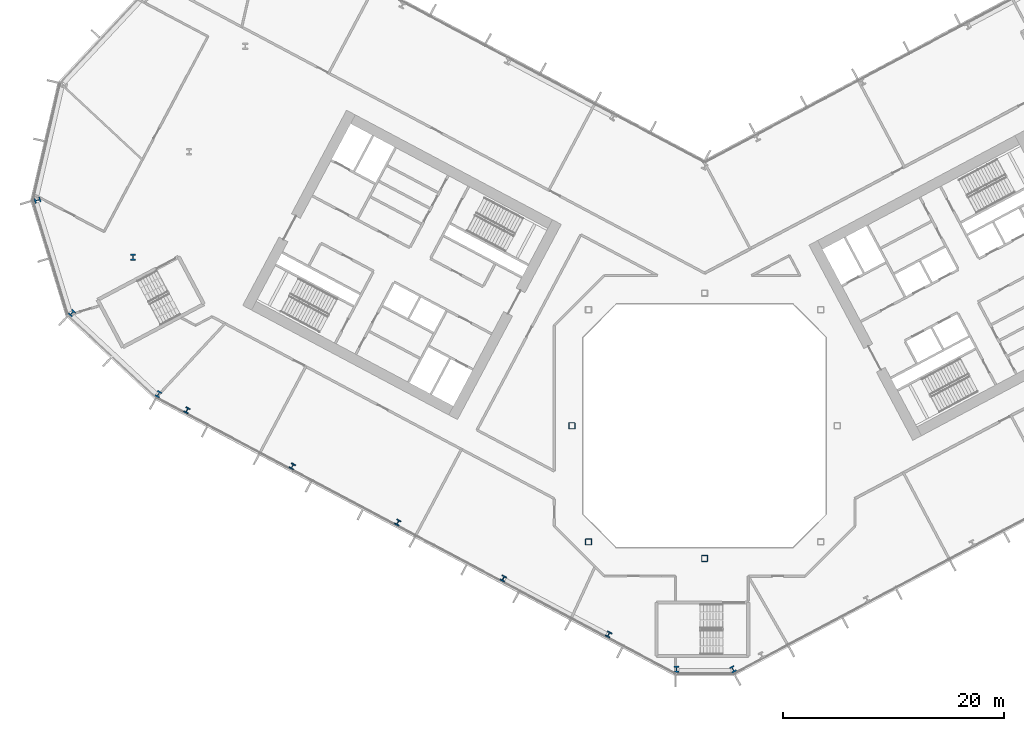
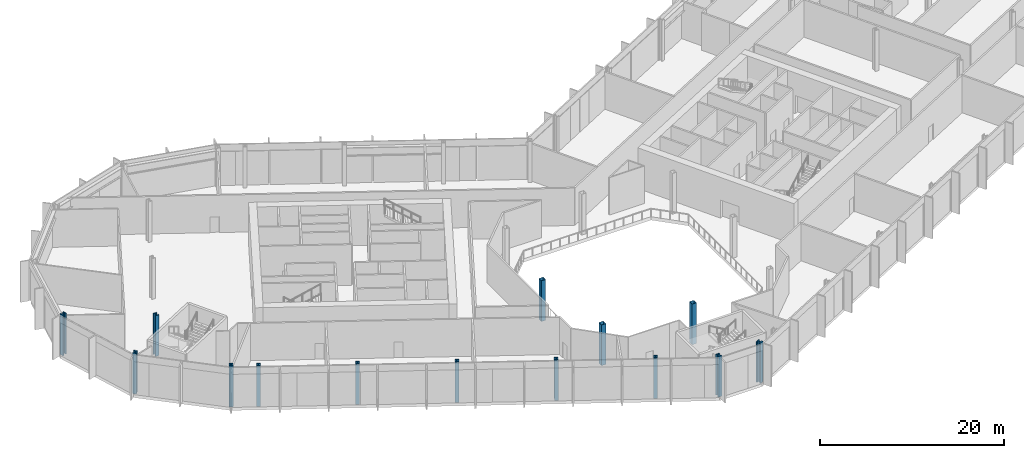
# One storey, part 1 of 32: 14 columns.
"""IFC4 building model written with IfcOpenShell, lengths in metres."""

import ifcopenshell
import ifcopenshell.guid

model = None  # the IFC model being written
_history = None  # IfcOwnerHistory: only IFC2X3 demands one
_inside = {}  # id of a spatial element -> (the spatial element, [elements in it])
_under = {}  # id of a project, library or spatial element -> (it, [spatial elements below it])
_declared = {}  # id of a project -> (the project, [libraries it declares])
_typed = {}  # id of a type object -> (the type object, [elements of that type])
_made_of = {}  # id of a material, layer set ... -> (it, [elements and type objects made of it])


def new_model(schema):
    """Start an empty IFC model of exactly this schema.

    Asked for "IFC4X3", IfcOpenShell would pick the latest addendum, in which some entities
    have other attributes; the version numbers below select the first issue.
    IFC2X3 requires an IfcOwnerHistory on every rooted entity: one is made here for all.
    """
    global model, _history
    if schema == "IFC4X3":
        model = ifcopenshell.file(schema_version=(4, 3, 0, 0))
    else:
        model = ifcopenshell.file(schema=schema)
    _inside.clear()
    _under.clear()
    _declared.clear()
    _typed.clear()
    _made_of.clear()
    _history = None
    if model.schema == "IFC2X3":
        org = make("IfcOrganization", Name="unknown")
        user = make(
            "IfcPersonAndOrganization",
            ThePerson=make("IfcPerson", FamilyName="unknown"),
            TheOrganization=org,
        )
        app = make(
            "IfcApplication",
            ApplicationDeveloper=org,
            Version="unknown",
            ApplicationFullName="unknown",
            ApplicationIdentifier="unknown",
        )
        _history = make(
            "IfcOwnerHistory",
            OwningUser=user,
            OwningApplication=app,
            ChangeAction="ADDED",
            CreationDate=0,
        )
    return model


def make(cls, **values):
    """One entity of the class cls with the attributes given. An attribute that is None is left unset."""
    return model.create_entity(
        cls, **{name: value for name, value in values.items() if value is not None}
    )


def rooted(cls, **values):
    """An entity with a GlobalId (a new one), such as an element, a storey or a relation."""
    return make(cls, GlobalId=ifcopenshell.guid.new(), OwnerHistory=_history, **values)


def si_unit(unit_type, name, prefix=None):
    """IfcSIUnit, for example si_unit("LENGTHUNIT", "METRE", prefix="MILLI")."""
    return make("IfcSIUnit", UnitType=unit_type, Prefix=prefix, Name=name)


def assignment(units):
    """IfcUnitAssignment: the units of a project."""
    return None if units is None else make("IfcUnitAssignment", Units=units)


def point(xyz):
    """IfcCartesianPoint."""
    return None if xyz is None else make("IfcCartesianPoint", Coordinates=xyz)


def direction(xyz):
    """IfcDirection."""
    return None if xyz is None else make("IfcDirection", DirectionRatios=xyz)


def frame(location, z_axis=None, x_axis=None):
    """IfcAxis2Placement3D, a coordinate frame: its origin and axes. An axis left out is left unset."""
    return make(
        "IfcAxis2Placement3D",
        Location=point(location),
        Axis=direction(z_axis),
        RefDirection=direction(x_axis),
    )


def frame_2d(location, x_axis=None):
    """IfcAxis2Placement2D, a coordinate frame in the plane: its origin and x axis."""
    return make(
        "IfcAxis2Placement2D", Location=point(location), RefDirection=direction(x_axis)
    )


def origin():
    """The frame at (0, 0, 0) with its axes left unset."""
    return frame((0.0, 0.0, 0.0))


def origin_2d():
    """The frame at (0, 0) in the plane with its x axis left unset."""
    return frame_2d((0.0, 0.0))


def place(relative_to, where):
    """IfcLocalPlacement: puts the frame where relative to a parent placement (None: the world)."""
    return make(
        "IfcLocalPlacement", PlacementRelTo=relative_to, RelativePlacement=where
    )


def context(
    kind, dimensions, precision=None, world=None, true_north=None, identifier=None
):
    """IfcGeometricRepresentationContext, for example the 3D "Model" context."""
    return make(
        "IfcGeometricRepresentationContext",
        ContextIdentifier=identifier,
        ContextType=kind,
        CoordinateSpaceDimension=dimensions,
        Precision=precision,
        WorldCoordinateSystem=world,
        TrueNorth=true_north,
    )


def subcontext(parent, identifier, kind, view, scale=None):
    """IfcGeometricRepresentationSubContext, for example "Body" below "Model"."""
    return make(
        "IfcGeometricRepresentationSubContext",
        ContextIdentifier=identifier,
        ContextType=kind,
        ParentContext=parent,
        TargetScale=scale,
        TargetView=view,
    )


def project(units=None, contexts=None):
    """IfcProject with its units and contexts."""
    return rooted(
        "IfcProject",
        Name="project",
        RepresentationContexts=contexts,
        UnitsInContext=assignment(units),
    )


def spatial(cls, under=None, at=None, **own):
    """A site, building, storey or space (cls), placed at a placement, below another one or the project."""
    s = rooted(cls, ObjectPlacement=at, **own)
    if under is not None:
        _under.setdefault(under.id(), (under, []))[1].append(s)
    return s


def profile(cls, at=None, kind="AREA", **sizes):
    """A parametric profile (cls). Its sizes go by their IFC names, for example OverallWidth=200.0."""
    return make(cls, ProfileType=kind, Position=at, **sizes)


def hollow_rectangle(**sizes):
    """IfcRectangleHollowProfileDef."""
    return profile("IfcRectangleHollowProfileDef", **sizes)


def i_section(**sizes):
    """IfcIShapeProfileDef."""
    return profile("IfcIShapeProfileDef", **sizes)


def extrude(swept, where, along, depth):
    """IfcExtrudedAreaSolid: the profile swept, set in the frame where, extruded along a direction by depth."""
    return make(
        "IfcExtrudedAreaSolid",
        SweptArea=swept,
        Position=where,
        ExtrudedDirection=direction(along),
        Depth=depth,
    )


def shape(context_of_items, identifier, shape_type, items):
    """IfcShapeRepresentation: the items that make up one representation, for example the "Body"."""
    return make(
        "IfcShapeRepresentation",
        ContextOfItems=context_of_items,
        RepresentationIdentifier=identifier,
        RepresentationType=shape_type,
        Items=items,
    )


def material(Name=None, Category=None):
    """IfcMaterial."""
    return make("IfcMaterial", Name=Name, Category=Category)


def material_profile(
    of_material, cross_section, Name=None, Category=None, Priority=None
):
    """IfcMaterialProfile: a cross section and its material."""
    return make(
        "IfcMaterialProfile",
        Name=Name,
        Material=of_material,
        Profile=cross_section,
        Priority=Priority,
        Category=Category,
    )


def profile_set(profiles, Name=None, composite=None):
    """IfcMaterialProfileSet."""
    return make(
        "IfcMaterialProfileSet",
        Name=Name,
        MaterialProfiles=profiles,
        CompositeProfile=composite,
    )


def made_of(thing, what):
    """Note that an element or type object is made of a material, layer set ...; save() writes the relation."""
    if what is not None:
        _made_of.setdefault(what.id(), (what, []))[1].append(thing)
    return thing


def type_object(cls, material=None, **own):
    """A type object (cls), such as IfcWallType, which elements share."""
    return made_of(rooted(cls, **own), material)


def element(
    cls,
    number,
    at=None,
    inside=None,
    cuts=None,
    type_object=None,
    material=None,
    context=None,
    identifier="Body",
    shape_type=None,
    held_by="IfcProductDefinitionShape",
    body=None,
    shapes=None,
    **own,
):
    """One element of the class cls, such as IfcWall. Its Tag is "e" and its number.

    at: its placement. inside: the storey or other place that contains it. cuts: it is an
    opening in that element (IfcRelVoidsElement). A single representation is given by context,
    identifier, shape_type and body (its items); several are given by shapes. held_by: the class
    of the entity that holds the representations. save() writes the other relations.
    """
    e = rooted(cls, Tag="e%d" % number, ObjectPlacement=at, **own)
    if body is not None:
        shapes = [shape(context, identifier, shape_type, body)]
    if shapes is not None:
        e.Representation = make(held_by, Representations=shapes)
    if inside is not None:
        _inside.setdefault(inside.id(), (inside, []))[1].append(e)
    if cuts is not None:
        rooted(
            "IfcRelVoidsElement", RelatingBuildingElement=cuts, RelatedOpeningElement=e
        )
    if type_object is not None:
        _typed.setdefault(type_object.id(), (type_object, []))[1].append(e)
    return made_of(e, material)


def aggregate(whole, parts):
    """IfcRelAggregates: a whole, such as a stair, and the parts it consists of."""
    return rooted("IfcRelAggregates", RelatingObject=whole, RelatedObjects=parts)


def save(model, path):
    """Write the relations noted so far, then the file.

    IfcRelAggregates (storeys below a building ...), IfcRelContainedInSpatialStructure (elements
    in a storey), IfcRelDefinesByType, IfcRelAssociatesMaterial and IfcRelDeclares: one each for
    every whole, place, type object, material and project.
    """
    for whole, parts in _under.values():
        aggregate(whole, parts)
    for where, things in _inside.values():
        rooted(
            "IfcRelContainedInSpatialStructure",
            RelatedElements=things,
            RelatingStructure=where,
        )
    for kind, things in _typed.values():
        rooted("IfcRelDefinesByType", RelatedObjects=things, RelatingType=kind)
    for what, things in _made_of.values():
        rooted("IfcRelAssociatesMaterial", RelatedObjects=things, RelatingMaterial=what)
    for by, libraries in _declared.values():
        rooted("IfcRelDeclares", RelatingContext=by, RelatedDefinitions=libraries)
    model.write(path)


model = new_model("IFC4")

# Units and contexts
model_context = context("Model", 3, precision=1e-05, world=origin(), true_north=direction((0.0, 1.0)))
body_context = subcontext(model_context, "Body", "Model", "MODEL_VIEW")
ifc_project = project(units=[si_unit("LENGTHUNIT", "METRE"), si_unit("AREAUNIT", "SQUARE_METRE"), si_unit("VOLUMEUNIT", "CUBIC_METRE"), si_unit("PLANEANGLEUNIT", "RADIAN"), si_unit("MASSUNIT", "GRAM", prefix="KILO")], contexts=[model_context])

# Site, building, storey
site_placement = place(None, origin())
site = spatial("IfcSite", under=ifc_project, at=site_placement, CompositionType="ELEMENT")
building_placement = place(site_placement, origin())
building = spatial("IfcBuilding", under=site, at=building_placement, Name="Cormorant Relay Tower", CompositionType="ELEMENT")
storey_placement = place(building_placement, frame((0.0, 0.0, 28.39990234375)))
storey = spatial("IfcBuildingStorey", under=building, at=storey_placement, Name="L05", CompositionType="ELEMENT", Elevation=28.39990234375)

# Columns
ifc_material_1 = material(Name="Steel ASTM A1085 Grade A (Fy 345 MPa)", Category="steel")
ifc_material_profile_1 = material_profile(ifc_material_1, hollow_rectangle(XDim=0.558837890625, YDim=0.558837890625, WallThickness=0.023681640625, InnerFilletRadius=0.01171875, OuterFilletRadius=0.035400390625, at=origin_2d()), Name="HSS559x559x24")
ifc_profile_set_1 = profile_set([ifc_material_profile_1], Name="Steel ASTM A1085 Grade A (Fy 345 MPa)")
column_type_1 = type_object("IfcColumnType", Name="Column HSS559x559x24", PredefinedType="COLUMN", material=ifc_profile_set_1)
for number, where, z_axis, x_axis, name in (
    (1, (0.0, -12.0, 0.0), (0.0, 0.0, 1.0), (1.0, 0.0, 0.0), "Column L05-007"),
    (2, (-10.5, -10.5, 0.0), (0.0, 0.0, 1.0), (1.0, 0.0, 0.0), "Column L05-009"),
    (3, (-12.0, 0.0, 0.0), (0.0, 0.0, 1.0), (1.0, 0.0, 0.0), "Column L05-015"),
):
    element("IfcColumn", number, at=place(storey_placement, frame(where, z_axis=z_axis, x_axis=x_axis)), inside=storey, type_object=column_type_1, Name=name, PredefinedType="COLUMN", context=body_context, shape_type="SweptSolid", body=[
        extrude(hollow_rectangle(XDim=0.558837890625, YDim=0.558837890625, WallThickness=0.023681640625, InnerFilletRadius=0.01171875, OuterFilletRadius=0.035400390625, at=origin_2d()), origin(), (0.0, 0.0, 1.0), 5.400146484375),
    ])
ifc_material_2 = material(Name="Steel ASTM A992 (Fy 345 MPa)", Category="steel")
ifc_material_profile_2 = material_profile(ifc_material_2, i_section(OverallWidth=0.45458984375, OverallDepth=0.569091796875, WebThickness=0.077880859375, FlangeThickness=0.124755859375, FilletRadius=0.015380859375, at=origin_2d()), Name="W360x1086")
ifc_profile_set_2 = profile_set([ifc_material_profile_2], Name="Steel ASTM A992 (Fy 345 MPa)")
column_type_2 = type_object("IfcColumnType", Name="Column W360x1086", PredefinedType="COLUMN", material=ifc_profile_set_2)
for number, where, z_axis, x_axis, name in (
    (4, (-2.55908203125, -22.01708984375, 0.0), (0.0, 0.0, 1.0), (1.0, 0.0, 0.0), "Column L05-001"),
    (5, (2.55908203125, -22.01708984375, 0.0), (0.0, 0.0, 1.0), (0.882947592859, 0.469471562786, 0.0), "Column L05-002"),
    (6, (-49.39404296875, 2.861083984375, 0.0), (0.0, 0.0, 1.0), (0.882947592859, -0.469471562786, 0.0), "Column L05-018"),
    (7, (-57.218994140625, 10.198974609375, 0.0), (0.0, 0.0, 1.0), (0.731353701619, -0.681998360062, 0.0), "Column L05-021"),
    (8, (-51.68994140625, 15.251953125, 0.0), (0.0, 0.0, 1.0), (1.0, 0.0, 0.0), "Column L05-027"),
    (9, (-60.340087890625, 20.406982421875, 0.0), (0.0, 0.0, 1.0), (0.292371704723, -0.956304755963, 0.0), "Column L05-030"),
):
    element("IfcColumn", number, at=place(storey_placement, frame(where, z_axis=z_axis, x_axis=x_axis)), inside=storey, type_object=column_type_2, Name=name, PredefinedType="COLUMN", context=body_context, shape_type="SweptSolid", body=[
        extrude(i_section(OverallWidth=0.45458984375, OverallDepth=0.569091796875, WebThickness=0.077880859375, FlangeThickness=0.124755859375, FilletRadius=0.015380859375, at=origin_2d()), origin(), (0.0, 0.0, 1.0), 5.400146484375),
    ])
ifc_material_3 = material(Name="Steel ASTM A992 (Fy 345 MPa)", Category="steel")
ifc_material_profile_3 = material_profile(ifc_material_3, i_section(OverallWidth=0.43701171875, OverallDepth=0.51318359375, WebThickness=0.060546875, FlangeThickness=0.096923828125, FilletRadius=0.015380859375, at=origin_2d()), Name="W360x818")
ifc_profile_set_3 = profile_set([ifc_material_profile_3], Name="Steel ASTM A992 (Fy 345 MPa)")
column_type_3 = type_object("IfcColumnType", Name="Column W360x818", PredefinedType="COLUMN", material=ifc_profile_set_3)
for number, where, z_axis, x_axis, name in (
    (10, (-8.677001953125, -18.8759765625, 0.0), (0.0, 0.0, 1.0), (0.882947592859, -0.469471562786, 0.0), "Column L05-004"),
    (11, (-18.212890625, -13.804931640625, 0.0), (0.0, 0.0, 1.0), (0.882947592859, -0.469471562786, 0.0), "Column L05-006"),
    (12, (-27.7490234375, -8.735107421875, 0.0), (0.0, 0.0, 1.0), (0.882947592859, -0.469471562786, 0.0), "Column L05-011"),
    (13, (-37.284912109375, -3.6650390625, 0.0), (0.0, 0.0, 1.0), (0.882947592859, -0.469471562786, 0.0), "Column L05-013"),
    (14, (-46.821044921875, 1.405029296875, 0.0), (0.0, 0.0, 1.0), (0.882947592859, -0.469471562786, 0.0), "Column L05-017"),
):
    element("IfcColumn", number, at=place(storey_placement, frame(where, z_axis=z_axis, x_axis=x_axis)), inside=storey, type_object=column_type_3, Name=name, PredefinedType="COLUMN", context=body_context, shape_type="SweptSolid", body=[
        extrude(i_section(OverallWidth=0.43701171875, OverallDepth=0.51318359375, WebThickness=0.060546875, FlangeThickness=0.096923828125, FilletRadius=0.015380859375, at=origin_2d()), origin(), (0.0, 0.0, 1.0), 5.400146484375),
    ])

save(model, "model.ifc")
